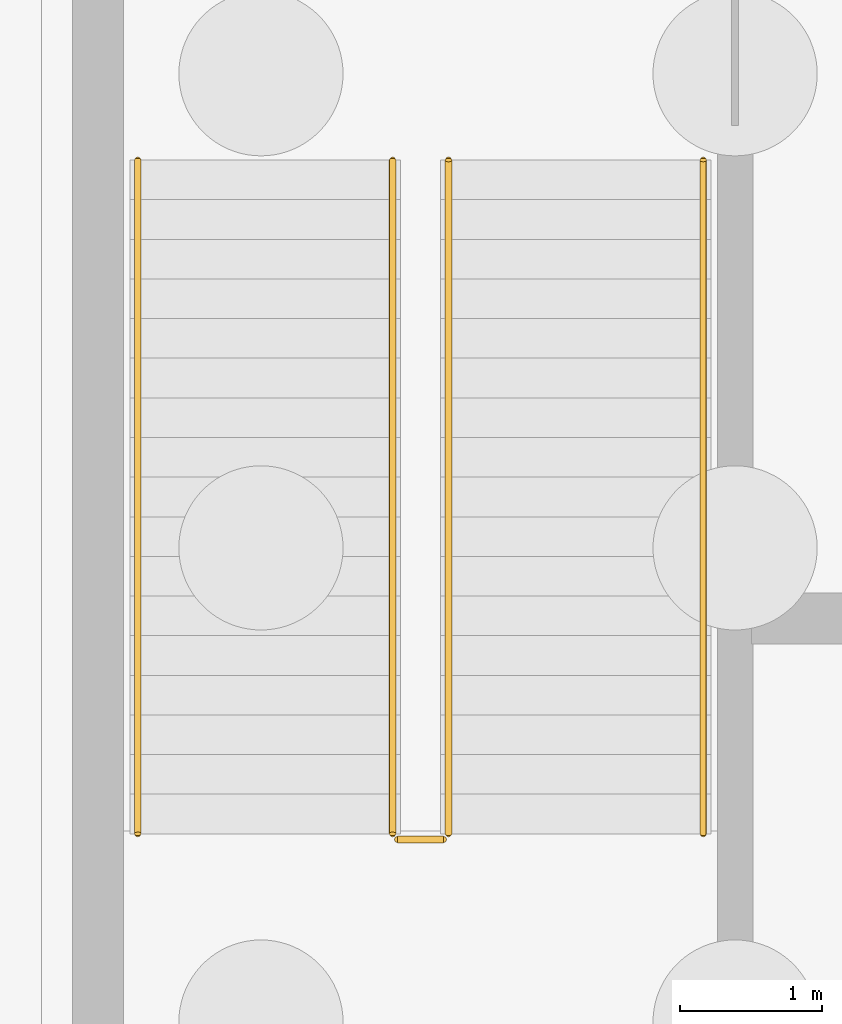
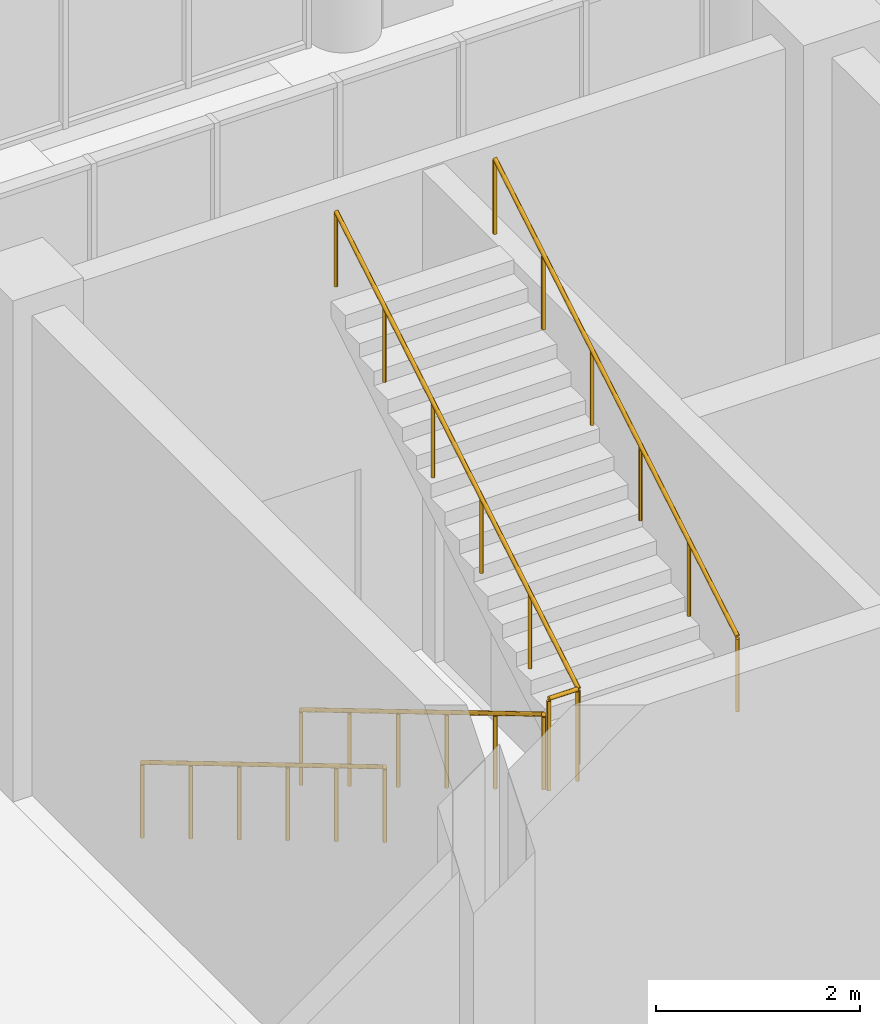
# One storey, part 127 of 131: 5 railings.
"""IFC4 building model written with IfcOpenShell, lengths in metres."""

from ifc_helpers import new_model, si_unit, direction, frame, origin, origin_2d, place, context, subcontext, project, spatial, circle, extrude, material, type_object, element, save


model = new_model("IFC4")

# Units and contexts
model_context = context("Model", 3, precision=1e-05, world=origin(), true_north=direction((0.0, 1.0)))
body_context = subcontext(model_context, "Body", "Model", "MODEL_VIEW")
ifc_project = project(units=[si_unit("LENGTHUNIT", "METRE"), si_unit("AREAUNIT", "SQUARE_METRE"), si_unit("VOLUMEUNIT", "CUBIC_METRE"), si_unit("PLANEANGLEUNIT", "RADIAN"), si_unit("MASSUNIT", "GRAM", prefix="KILO")], contexts=[model_context])

# Site, building, storey
site_placement = place(None, origin())
site = spatial("IfcSite", under=ifc_project, at=site_placement, CompositionType="ELEMENT")
building_placement = place(site_placement, origin())
building = spatial("IfcBuilding", under=site, at=building_placement, Name="Cazmaro Siding Exhibition Halls", CompositionType="ELEMENT")
storey_placement = place(building_placement, origin())
storey = spatial("IfcBuildingStorey", under=building, at=storey_placement, Name="L00", CompositionType="ELEMENT", Elevation=0.0)

# Railings
ifc_material_1 = material(Name="Painted Steel Stairwell Guardrail", Category="steel")
railing_type_1 = type_object("IfcRailingType", Name="RL-GRD-01", PredefinedType="GUARDRAIL", material=ifc_material_1)
railing_1_placement = place(storey_placement, frame((137.114990234375, 47.0400390625, 3.0)))
element("IfcRailing", 1, at=railing_1_placement, inside=storey, type_object=railing_type_1, Name="ST-07 Mid-Landing Slot Guard RL-GRD-01 RL-SG013", PredefinedType="GUARDRAIL", context=body_context, shape_type="SweptSolid", body=[
    extrude(circle(Radius=0.02392578125, at=origin_2d()), frame((0.0, 0.0, 1.09619140625), z_axis=(1.0, 0.0, 0.0), x_axis=(0.0, 1.0, 0.0)), (0.0, 0.0, 1.0), 0.324951171875),
    extrude(circle(Radius=0.02099609375, at=origin_2d()), origin(), (0.0, 0.0, 1.0), 1.072021484375),
    extrude(circle(Radius=0.02099609375, at=origin_2d()), frame((0.324951171875, 0.0, 0.0)), (0.0, 0.0, 1.0), 1.072021484375),
])
ifc_material_2 = material(Name="Brushed Stainless Steel Tubular Handrail", Category="steel")
railing_type_2 = type_object("IfcRailingType", Name="RL-HR-01", PredefinedType="HANDRAIL", material=ifc_material_2)
railing_2_placement = place(storey_placement, frame((135.280029296875, 51.840087890625, 0.1669921875)))
element("IfcRailing", 2, at=railing_2_placement, inside=storey, type_object=railing_type_2, Name="ST-07 Flight 1 Handrail 1", PredefinedType="HANDRAIL", context=body_context, shape_type="SweptSolid", body=[
    extrude(circle(Radius=0.02392578125, at=origin_2d()), frame((0.0, 0.0, 0.89599609375), z_axis=(0.0, -0.859319172962, 0.511439692417), x_axis=(1.0, 0.0, 0.0)), (0.0, 0.0, 1.0), 5.539306640625),
    extrude(circle(Radius=0.02099609375, at=origin_2d()), origin(), (0.0, 0.0, 1.0), 0.871826171875),
    extrude(circle(Radius=0.02099609375, at=origin_2d()), frame((0.0, -0.951904296875, 0.566650390625)), (0.0, 0.0, 1.0), 0.871826171875),
    extrude(circle(Radius=0.02099609375, at=origin_2d()), frame((0.0, -1.904052734375, 1.13330078125)), (0.0, 0.0, 1.0), 0.871826171875),
    extrude(circle(Radius=0.02099609375, at=origin_2d()), frame((0.0, -2.85595703125, 1.69970703125)), (0.0, 0.0, 1.0), 0.871826171875),
    extrude(circle(Radius=0.02099609375, at=origin_2d()), frame((0.0, -3.80810546875, 2.266357421875)), (0.0, 0.0, 1.0), 0.871826171875),
    extrude(circle(Radius=0.02099609375, at=origin_2d()), frame((0.0, -4.760009765625, 2.8330078125)), (0.0, 0.0, 1.0), 0.871826171875),
])
railing_3_placement = place(storey_placement, frame((137.47509765625, 47.080078125, 3.1669921875)))
element("IfcRailing", 3, at=railing_3_placement, inside=storey, type_object=railing_type_2, Name="ST-07 Flight 2 Handrail 1", PredefinedType="HANDRAIL", context=body_context, shape_type="SweptSolid", body=[
    extrude(circle(Radius=0.02392578125, at=origin_2d()), frame((0.0, 0.0, 0.89599609375), z_axis=(0.0, 0.859319172962, 0.511439692417), x_axis=(-1.0, 0.0, 0.0)), (0.0, 0.0, 1.0), 5.539306640625),
    extrude(circle(Radius=0.02099609375, at=origin_2d()), origin(), (0.0, 0.0, 1.0), 0.871826171875),
    extrude(circle(Radius=0.02099609375, at=origin_2d()), frame((0.0, 0.951904296875, 0.566650390625)), (0.0, 0.0, 1.0), 0.871826171875),
    extrude(circle(Radius=0.02099609375, at=origin_2d()), frame((0.0, 1.904052734375, 1.13330078125)), (0.0, 0.0, 1.0), 0.871826171875),
    extrude(circle(Radius=0.02099609375, at=origin_2d()), frame((0.0, 2.85595703125, 1.69970703125)), (0.0, 0.0, 1.0), 0.871826171875),
    extrude(circle(Radius=0.02099609375, at=origin_2d()), frame((0.0, 3.80810546875, 2.266357421875)), (0.0, 0.0, 1.0), 0.871826171875),
    extrude(circle(Radius=0.02099609375, at=origin_2d()), frame((0.0, 4.760009765625, 2.8330078125)), (0.0, 0.0, 1.0), 0.871826171875),
])
railing_4_placement = place(storey_placement, frame((137.080078125, 51.840087890625, 0.1669921875)))
element("IfcRailing", 4, at=railing_4_placement, inside=storey, type_object=railing_type_2, Name="ST-07 Flight 1 Handrail 2", PredefinedType="HANDRAIL", context=body_context, shape_type="SweptSolid", body=[
    extrude(circle(Radius=0.02392578125, at=origin_2d()), frame((0.0, 0.0, 0.89599609375), z_axis=(0.0, -0.859319172962, 0.511439692417), x_axis=(1.0, 0.0, 0.0)), (0.0, 0.0, 1.0), 5.539306640625),
    extrude(circle(Radius=0.02099609375, at=origin_2d()), origin(), (0.0, 0.0, 1.0), 0.871826171875),
    extrude(circle(Radius=0.02099609375, at=origin_2d()), frame((0.0, -0.951904296875, 0.566650390625)), (0.0, 0.0, 1.0), 0.871826171875),
    extrude(circle(Radius=0.02099609375, at=origin_2d()), frame((0.0, -1.904052734375, 1.13330078125)), (0.0, 0.0, 1.0), 0.871826171875),
    extrude(circle(Radius=0.02099609375, at=origin_2d()), frame((0.0, -2.85595703125, 1.69970703125)), (0.0, 0.0, 1.0), 0.871826171875),
    extrude(circle(Radius=0.02099609375, at=origin_2d()), frame((0.0, -3.80810546875, 2.266357421875)), (0.0, 0.0, 1.0), 0.871826171875),
    extrude(circle(Radius=0.02099609375, at=origin_2d()), frame((0.0, -4.760009765625, 2.8330078125)), (0.0, 0.0, 1.0), 0.871826171875),
])
railing_5_placement = place(storey_placement, frame((139.27490234375, 47.080078125, 3.1669921875)))
element("IfcRailing", 5, at=railing_5_placement, inside=storey, type_object=railing_type_2, Name="ST-07 Flight 2 Handrail 2", PredefinedType="HANDRAIL", context=body_context, shape_type="SweptSolid", body=[
    extrude(circle(Radius=0.02392578125, at=origin_2d()), frame((0.0, 0.0, 0.89599609375), z_axis=(0.0, 0.859319172962, 0.511439692417), x_axis=(-1.0, 0.0, 0.0)), (0.0, 0.0, 1.0), 5.539306640625),
    extrude(circle(Radius=0.02099609375, at=origin_2d()), origin(), (0.0, 0.0, 1.0), 0.871826171875),
    extrude(circle(Radius=0.02099609375, at=origin_2d()), frame((0.0, 0.951904296875, 0.566650390625)), (0.0, 0.0, 1.0), 0.871826171875),
    extrude(circle(Radius=0.02099609375, at=origin_2d()), frame((0.0, 1.904052734375, 1.13330078125)), (0.0, 0.0, 1.0), 0.871826171875),
    extrude(circle(Radius=0.02099609375, at=origin_2d()), frame((0.0, 2.85595703125, 1.69970703125)), (0.0, 0.0, 1.0), 0.871826171875),
    extrude(circle(Radius=0.02099609375, at=origin_2d()), frame((0.0, 3.80810546875, 2.266357421875)), (0.0, 0.0, 1.0), 0.871826171875),
    extrude(circle(Radius=0.02099609375, at=origin_2d()), frame((0.0, 4.760009765625, 2.8330078125)), (0.0, 0.0, 1.0), 0.871826171875),
])

save(model, "model.ifc")
